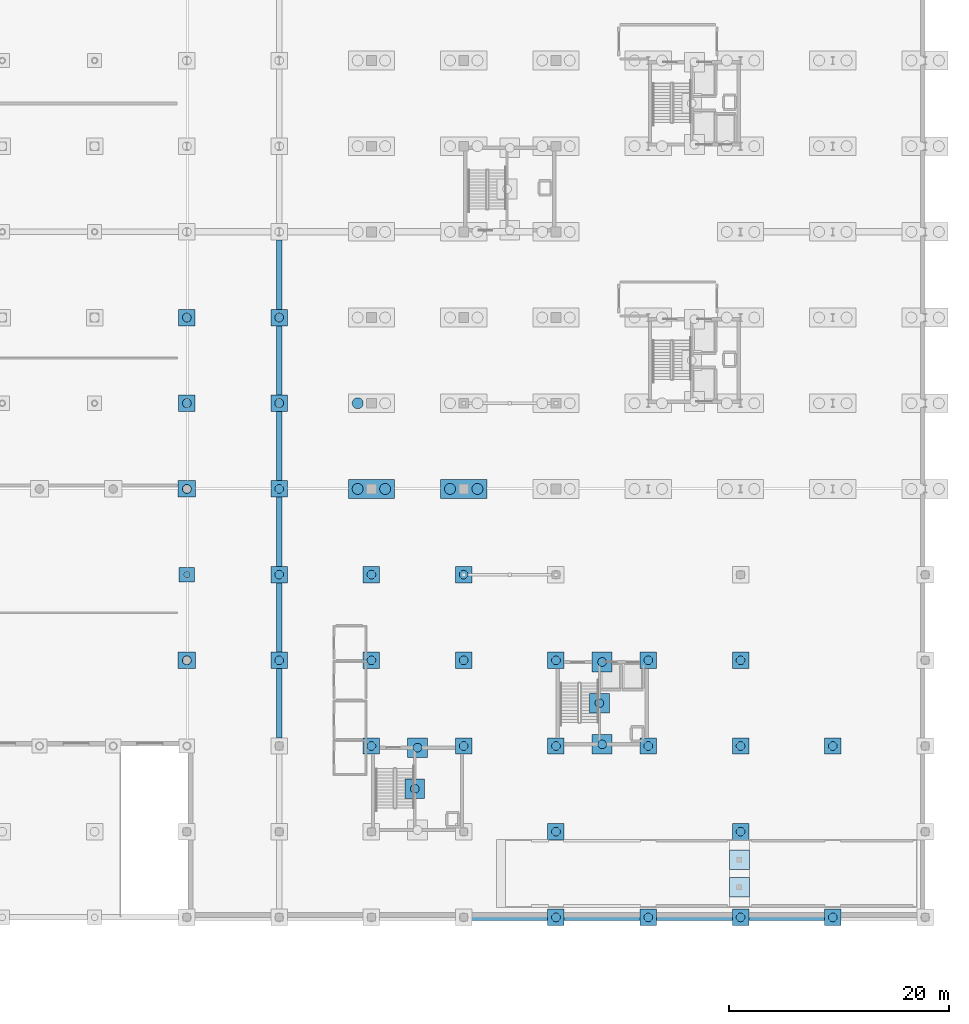
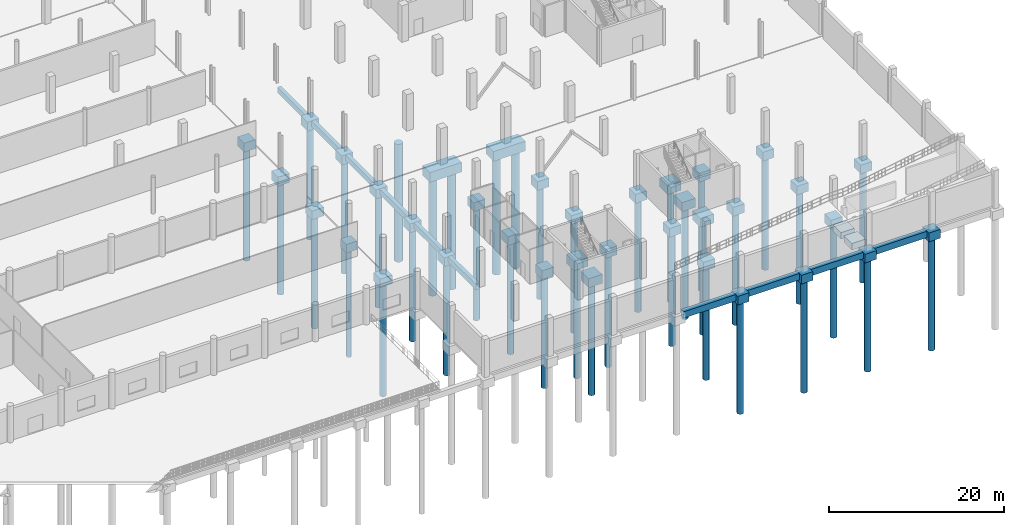
# One storey, part 6 of 48: 48 footings, 39 piles.
"""IFC4 building model written with IfcOpenShell, lengths in metres."""

from ifc_helpers import new_model, si_unit, direction, frame, origin, origin_2d, place, context, subcontext, project, spatial, polyline, rectangle, circle, outline, extrude, material, material_profile, profile_set, type_object, element, save


model = new_model("IFC4")

# Units and contexts
model_context = context("Model", 3, precision=1e-05, world=origin(), true_north=direction((0.0, 1.0)))
body_context = subcontext(model_context, "Body", "Model", "MODEL_VIEW")
ifc_project = project(units=[si_unit("LENGTHUNIT", "METRE"), si_unit("AREAUNIT", "SQUARE_METRE"), si_unit("VOLUMEUNIT", "CUBIC_METRE"), si_unit("PLANEANGLEUNIT", "RADIAN"), si_unit("MASSUNIT", "GRAM", prefix="KILO")], contexts=[model_context])

# Site, building, storey
site_placement = place(None, origin())
site = spatial("IfcSite", under=ifc_project, at=site_placement, CompositionType="ELEMENT")
building_placement = place(site_placement, origin())
building = spatial("IfcBuilding", under=site, at=building_placement, Name="Nabrawat Pavilion Hospital", CompositionType="ELEMENT")
storey_placement = place(building_placement, frame((0.0, 0.0, -5.10009765625)))
storey = spatial("IfcBuildingStorey", under=building, at=storey_placement, Name="B1", CompositionType="ELEMENT", Elevation=-5.10009765625)

# Piles
ifc_material = material(Name="Concrete C35/45", Category="concrete")
ifc_material_profile_1 = material_profile(ifc_material, circle(Radius=0.5, at=origin_2d()), Name="DIA 1000")
ifc_profile_set_1 = profile_set([ifc_material_profile_1], Name="Concrete C35/45")
pile_type_1 = type_object("IfcPileType", Name="Bored Concrete Pile D1000", PredefinedType="BORED", material=ifc_profile_set_1)
for number, where, z_axis, x_axis, name in (
    (1, (141.550048828125, 39.0, -1.469970703125), (0.0, 0.0, -1.0), (1.0, 0.0, 0.0), "Bored Pile P-1000 0203"),
    (2, (144.050048828125, 39.0, -1.469970703125), (0.0, 0.0, -1.0), (1.0, 0.0, 0.0), "Bored Pile P-1000 0204"),
    (3, (141.550048828125, 46.800048828125, -1.469970703125), (0.0, 0.0, -1.0), (1.0, 0.0, 0.0), "Bored Pile P-1000 0205"),
    (4, (149.949951171875, 39.0, -1.469970703125), (0.0, 0.0, -1.0), (1.0, 0.0, 0.0), "Bored Pile P-1000 0231"),
    (5, (152.449951171875, 39.0, -1.469970703125), (0.0, 0.0, -1.0), (1.0, 0.0, 0.0), "Bored Pile P-1000 0232"),
):
    element("IfcPile", number, at=place(storey_placement, frame(where, z_axis=z_axis, x_axis=x_axis)), inside=storey, type_object=pile_type_1, Name=name, PredefinedType="BORED", context=body_context, shape_type="SweptSolid", body=[
        extrude(circle(Radius=0.5, at=origin_2d()), origin(), (0.0, 0.0, 1.0), 16.429931640625),
    ])
ifc_material_profile_2 = material_profile(ifc_material, circle(Radius=0.300048828125, at=origin_2d()), Name="DIA 600")
ifc_profile_set_2 = profile_set([ifc_material_profile_2], Name="Concrete C35/45")
pile_type_2 = type_object("IfcPileType", Name="Bored Concrete Pile D600", PredefinedType="BORED", material=ifc_profile_set_2)
pile_placement = place(storey_placement, frame((126.0, 31.199951171875, -1.2998046875), z_axis=(0.0, 0.0, -1.0), x_axis=(1.0, 0.0, 0.0)))
element("IfcPile", 6, at=pile_placement, inside=storey, type_object=pile_type_2, Name="Bored Pile P-600 0168", PredefinedType="BORED", context=body_context, shape_type="SweptSolid", body=[
    extrude(circle(Radius=0.300048828125, at=origin_2d()), origin(), (0.0, 0.0, 1.0), 15.10009765625),
])
ifc_material_profile_3 = material_profile(ifc_material, circle(Radius=0.39990234375, at=origin_2d()), Name="DIA 800")
ifc_profile_set_3 = profile_set([ifc_material_profile_3], Name="Concrete C35/45")
pile_type_3 = type_object("IfcPileType", Name="Bored Concrete Pile D800", PredefinedType="BORED", material=ifc_profile_set_3)
for number, where, z_axis, x_axis, name in (
    (7, (126.0, 23.39990234375, -1.2998046875), (0.0, 0.0, -1.0), (1.0, 0.0, 0.0), "Bored Pile P-800 0167"),
    (8, (126.0, 39.0, -1.2998046875), (0.0, 0.0, -1.0), (1.0, 0.0, 0.0), "Bored Pile P-800 0169"),
):
    element("IfcPile", number, at=place(storey_placement, frame(where, z_axis=z_axis, x_axis=x_axis)), inside=storey, type_object=pile_type_3, Name=name, PredefinedType="BORED", context=body_context, shape_type="SweptSolid", body=[
        extrude(circle(Radius=0.39990234375, at=origin_2d()), origin(), (0.0, 0.0, 1.0), 15.800048828125),
    ])
for number, where, z_axis, x_axis, name in (
    (9, (126.0, 46.800048828125, -1.369873046875), (0.0, 0.0, -1.0), (1.0, 0.0, 0.0), "Bored Pile P-800 0170"),
    (10, (126.0, 54.60009765625, -1.369873046875), (0.0, 0.0, -1.0), (1.0, 0.0, 0.0), "Bored Pile P-800 0171"),
):
    element("IfcPile", number, at=place(storey_placement, frame(where, z_axis=z_axis, x_axis=x_axis)), inside=storey, type_object=pile_type_3, Name=name, PredefinedType="BORED", context=body_context, shape_type="SweptSolid", body=[
        extrude(circle(Radius=0.39990234375, at=origin_2d()), origin(), (0.0, 0.0, 1.0), 15.72998046875),
    ])
for number, where, z_axis, x_axis, name in (
    (11, (134.39990234375, 23.39990234375, -1.33984375), (0.0, 0.0, -1.0), (1.0, 0.0, 0.0), "Bored Pile P-800 0184"),
    (12, (134.39990234375, 31.199951171875, -1.33984375), (0.0, 0.0, -1.0), (1.0, 0.0, 0.0), "Bored Pile P-800 0185"),
    (13, (134.39990234375, 39.0, -1.33984375), (0.0, 0.0, -1.0), (1.0, 0.0, 0.0), "Bored Pile P-800 0186"),
):
    element("IfcPile", number, at=place(storey_placement, frame(where, z_axis=z_axis, x_axis=x_axis)), inside=storey, type_object=pile_type_3, Name=name, PredefinedType="BORED", context=body_context, shape_type="SweptSolid", body=[
        extrude(circle(Radius=0.39990234375, at=origin_2d()), origin(), (0.0, 0.0, 1.0), 15.760009765625),
    ])
for number, where, z_axis, x_axis, name in (
    (14, (134.39990234375, 46.800048828125, -1.369873046875), (0.0, 0.0, -1.0), (1.0, 0.0, 0.0), "Bored Pile P-800 0187"),
    (15, (134.39990234375, 54.60009765625, -1.369873046875), (0.0, 0.0, -1.0), (1.0, 0.0, 0.0), "Bored Pile P-800 0188"),
):
    element("IfcPile", number, at=place(storey_placement, frame(where, z_axis=z_axis, x_axis=x_axis)), inside=storey, type_object=pile_type_3, Name=name, PredefinedType="BORED", context=body_context, shape_type="SweptSolid", body=[
        extrude(circle(Radius=0.39990234375, at=origin_2d()), origin(), (0.0, 0.0, 1.0), 15.72998046875),
    ])
for number, where, z_axis, x_axis, name in (
    (16, (142.800048828125, 15.60009765625, -1.33984375), (0.0, 0.0, -1.0), (1.0, 0.0, 0.0), "Bored Pile P-800 0200"),
    (17, (142.800048828125, 23.39990234375, -1.33984375), (0.0, 0.0, -1.0), (1.0, 0.0, 0.0), "Bored Pile P-800 0201"),
    (18, (142.800048828125, 31.199951171875, -1.33984375), (0.0, 0.0, -1.0), (1.0, 0.0, 0.0), "Bored Pile P-800 0202"),
    (19, (151.199951171875, 15.60009765625, -1.33984375), (0.0, 0.0, -1.0), (1.0, 0.0, 0.0), "Bored Pile P-800 0228"),
    (20, (151.199951171875, 23.39990234375, -1.33984375), (0.0, 0.0, -1.0), (1.0, 0.0, 0.0), "Bored Pile P-800 0229"),
    (21, (151.199951171875, 31.199951171875, -1.33984375), (0.0, 0.0, -1.0), (1.0, 0.0, 0.0), "Bored Pile P-800 0230"),
    (22, (159.60009765625, 0.0, -1.33984375), (0.0, 0.0, -1.0), (1.0, 0.0, 0.0), "Bored Pile P-800 0254"),
    (23, (159.60009765625, 7.800048828125, -1.33984375), (0.0, 0.0, -1.0), (1.0, 0.0, 0.0), "Bored Pile P-800 0255"),
    (24, (159.60009765625, 15.60009765625, -1.33984375), (0.0, 0.0, -1.0), (1.0, 0.0, 0.0), "Bored Pile P-800 0256"),
    (25, (159.60009765625, 23.39990234375, -1.33984375), (0.0, 0.0, -1.0), (1.0, 0.0, 0.0), "Bored Pile P-800 0257"),
    (26, (168.0, 0.0, -1.33984375), (0.0, 0.0, -1.0), (1.0, 0.0, 0.0), "Bored Pile P-800 0282"),
    (27, (168.0, 15.60009765625, -1.33984375), (0.0, 0.0, -1.0), (1.0, 0.0, 0.0), "Bored Pile P-800 0283"),
    (28, (168.0, 23.39990234375, -1.33984375), (0.0, 0.0, -1.0), (1.0, 0.0, 0.0), "Bored Pile P-800 0284"),
    (29, (176.39990234375, 0.0, -1.33984375), (0.0, 0.0, -1.0), (1.0, 0.0, 0.0), "Bored Pile P-800 0300"),
    (30, (176.39990234375, 7.800048828125, -1.33984375), (0.0, 0.0, -1.0), (1.0, 0.0, 0.0), "Bored Pile P-800 0301"),
    (31, (176.39990234375, 15.60009765625, -1.33984375), (0.0, 0.0, -1.0), (1.0, 0.0, 0.0), "Bored Pile P-800 0302"),
    (32, (176.39990234375, 23.39990234375, -1.33984375), (0.0, 0.0, -1.0), (1.0, 0.0, 0.0), "Bored Pile P-800 0303"),
    (33, (184.800048828125, 0.0, -1.33984375), (0.0, 0.0, -1.0), (1.0, 0.0, 0.0), "Bored Pile P-800 0328"),
    (34, (184.800048828125, 15.60009765625, -1.33984375), (0.0, 0.0, -1.0), (1.0, 0.0, 0.0), "Bored Pile P-800 0329"),
):
    element("IfcPile", number, at=place(storey_placement, frame(where, z_axis=z_axis, x_axis=x_axis)), inside=storey, type_object=pile_type_3, Name=name, PredefinedType="BORED", context=body_context, shape_type="SweptSolid", body=[
        extrude(circle(Radius=0.39990234375, at=origin_2d()), origin(), (0.0, 0.0, 1.0), 15.760009765625),
    ])
for number, where, z_axis, x_axis, name in (
    (35, (163.800048828125, 15.75, -1.369873046875), (0.0, 0.0, -1.0), (1.0, 0.0, 0.0), "Bored Pile P-800 0384"),
    (36, (163.800048828125, 23.25, -1.369873046875), (0.0, 0.0, -1.0), (1.0, 0.0, 0.0), "Bored Pile P-800 0385"),
    (37, (163.550048828125, 19.5, -1.369873046875), (0.0, 0.0, -1.0), (1.0, 0.0, 0.0), "Bored Pile P-800 0386"),
    (38, (147.0, 15.449951171875, -1.369873046875), (0.0, 0.0, -1.0), (1.0, 0.0, 0.0), "Bored Pile P-800 0397"),
    (39, (146.75, 11.699951171875, -1.369873046875), (0.0, 0.0, -1.0), (1.0, 0.0, 0.0), "Bored Pile P-800 0398"),
):
    element("IfcPile", number, at=place(storey_placement, frame(where, z_axis=z_axis, x_axis=x_axis)), inside=storey, type_object=pile_type_3, Name=name, PredefinedType="BORED", context=body_context, shape_type="SweptSolid", body=[
        extrude(circle(Radius=0.39990234375, at=origin_2d()), origin(), (0.0, 0.0, 1.0), 15.72998046875),
    ])

# Footings
ifc_material_profile_4 = material_profile(ifc_material, rectangle(XDim=0.5, YDim=0.800048828125, at=origin_2d()), Name="RC 500x800")
ifc_profile_set_4 = profile_set([ifc_material_profile_4], Name="Concrete C35/45")
footing_type_1 = type_object("IfcFootingType", Name="Concrete Ground Tie Beam 500x800", PredefinedType="FOOTING_BEAM", material=ifc_profile_set_4)
footing_1_placement = place(storey_placement, frame((134.39990234375, 16.330078125, -0.619873046875), z_axis=(0.0, 1.0, 0.0), x_axis=(-1.0, 0.0, 0.0)))
element("IfcFooting", 40, at=footing_1_placement, inside=storey, type_object=footing_type_1, Name="B1 Ground Tie Beam Y 061", PredefinedType="FOOTING_BEAM", context=body_context, shape_type="SweptSolid", body=[
    extrude(rectangle(XDim=0.5, YDim=0.800048828125, at=origin_2d()), origin(), (0.0, 0.0, 1.0), 6.33984375),
])
for number, where, z_axis, x_axis, name in (
    (41, (134.39990234375, 24.1298828125, -0.619873046875), (0.0, 1.0, 0.0), (-1.0, 0.0, 0.0), "B1 Ground Tie Beam Y 062"),
    (42, (134.39990234375, 31.929931640625, -0.619873046875), (0.0, 1.0, 0.0), (-1.0, 0.0, 0.0), "B1 Ground Tie Beam Y 063"),
    (43, (134.39990234375, 39.72998046875, -0.619873046875), (0.0, 1.0, 0.0), (-1.0, 0.0, 0.0), "B1 Ground Tie Beam Y 064"),
    (44, (134.39990234375, 47.530029296875, -0.619873046875), (0.0, 1.0, 0.0), (-1.0, 0.0, 0.0), "B1 Ground Tie Beam Y 065"),
):
    element("IfcFooting", number, at=place(storey_placement, frame(where, z_axis=z_axis, x_axis=x_axis)), inside=storey, type_object=footing_type_1, Name=name, PredefinedType="FOOTING_BEAM", context=body_context, shape_type="SweptSolid", body=[
        extrude(rectangle(XDim=0.5, YDim=0.800048828125, at=origin_2d()), origin(), (0.0, 0.0, 1.0), 6.340087890625),
    ])
footing_2_placement = place(storey_placement, frame((134.39990234375, 55.330078125, -0.619873046875), z_axis=(0.0, 1.0, 0.0), x_axis=(-1.0, 0.0, 0.0)))
element("IfcFooting", 45, at=footing_2_placement, inside=storey, type_object=footing_type_1, Name="B1 Ground Tie Beam Y 066", PredefinedType="FOOTING_BEAM", context=body_context, shape_type="SweptSolid", body=[
    extrude(rectangle(XDim=0.5, YDim=0.800048828125, at=origin_2d()), origin(), (0.0, 0.0, 1.0), 6.33984375),
])
ifc_material_profile_5 = material_profile(ifc_material, rectangle(XDim=0.60009765625, YDim=0.89990234375, at=origin_2d()), Name="RC 600x900")
ifc_profile_set_5 = profile_set([ifc_material_profile_5], Name="Concrete C35/45")
footing_type_2 = type_object("IfcFootingType", Name="Concrete Ground Tie Beam 600x900", PredefinedType="FOOTING_BEAM", material=ifc_profile_set_5)
footing_3_placement = place(storey_placement, frame((151.929931640625, 0.0, -0.669921875), z_axis=(1.0, 0.0, 0.0), x_axis=(0.0, 1.0, 0.0)))
element("IfcFooting", 46, at=footing_3_placement, inside=storey, type_object=footing_type_2, Name="B1 Ground Tie Beam X 019", PredefinedType="FOOTING_BEAM", context=body_context, shape_type="SweptSolid", body=[
    extrude(rectangle(XDim=0.60009765625, YDim=0.89990234375, at=origin_2d()), origin(), (0.0, 0.0, 1.0), 6.940185546875),
])
for number, where, z_axis, x_axis, name in (
    (47, (160.330078125, 0.0, -0.669921875), (1.0, 0.0, 0.0), (0.0, 1.0, 0.0), "B1 Ground Tie Beam X 020"),
    (48, (168.72998046875, 0.0, -0.669921875), (1.0, 0.0, 0.0), (0.0, 1.0, 0.0), "B1 Ground Tie Beam X 021"),
):
    element("IfcFooting", number, at=place(storey_placement, frame(where, z_axis=z_axis, x_axis=x_axis)), inside=storey, type_object=footing_type_2, Name=name, PredefinedType="FOOTING_BEAM", context=body_context, shape_type="SweptSolid", body=[
        extrude(rectangle(XDim=0.60009765625, YDim=0.89990234375, at=origin_2d()), origin(), (0.0, 0.0, 1.0), 6.93994140625),
    ])
footing_4_placement = place(storey_placement, frame((177.1298828125, 0.0, -0.669921875), z_axis=(1.0, 0.0, 0.0), x_axis=(0.0, 1.0, 0.0)))
element("IfcFooting", 49, at=footing_4_placement, inside=storey, type_object=footing_type_2, Name="B1 Ground Tie Beam X 022", PredefinedType="FOOTING_BEAM", context=body_context, shape_type="SweptSolid", body=[
    extrude(rectangle(XDim=0.60009765625, YDim=0.89990234375, at=origin_2d()), origin(), (0.0, 0.0, 1.0), 6.940185546875),
])
footing_type_3 = type_object("IfcFootingType", Name="Exterior Colonnade Pad Footing 1800x1800x900", PredefinedType="PAD_FOOTING", material=ifc_material)
footing_5_placement = place(storey_placement, frame((0.0, 0.0, -1.119873046875)))
element("IfcFooting", 50, at=footing_5_placement, inside=storey, type_object=footing_type_3, Name="B1 Vehicle Ramp Pier Pad Footing 01", PredefinedType="PAD_FOOTING", context=body_context, shape_type="SweptSolid", body=[
    extrude(outline(polyline([(177.199951171875, 1.85009765625), (177.199951171875, 3.64990234375), (175.39990234375, 3.64990234375), (175.39990234375, 1.85009765625), (177.199951171875, 1.85009765625)])), origin(), (0.0, 0.0, 1.0), 0.89990234375),
])
footing_6_placement = place(storey_placement, frame((0.0, 0.0, -1.119873046875)))
element("IfcFooting", 51, at=footing_6_placement, inside=storey, type_object=footing_type_3, Name="B1 Vehicle Ramp Pier Pad Footing 02", PredefinedType="PAD_FOOTING", context=body_context, shape_type="SweptSolid", body=[
    extrude(outline(polyline([(177.199951171875, 4.35009765625), (177.199951171875, 6.14990234375), (175.39990234375, 6.14990234375), (175.39990234375, 4.35009765625), (177.199951171875, 4.35009765625)])), origin(), (0.0, 0.0, 1.0), 0.89990234375),
])
footing_type_4 = type_object("IfcFootingType", Name="Reinforced Concrete Pile Cap 1300x1400x1180", PredefinedType="PILE_CAP", material=ifc_material)
footing_7_placement = place(storey_placement, frame((0.0, 0.0, -1.39990234375)))
element("IfcFooting", 52, at=footing_7_placement, inside=storey, type_object=footing_type_4, Name="B1 Combined Pile Cap CAP-168", PredefinedType="PILE_CAP", context=body_context, shape_type="SweptSolid", body=[
    extrude(outline(polyline([(126.699951171875, 30.550048828125), (126.699951171875, 31.85009765625), (125.300048828125, 31.85009765625), (125.300048828125, 30.550048828125), (126.699951171875, 30.550048828125)])), origin(), (0.0, 0.0, 1.0), 1.179931640625),
])
footing_type_5 = type_object("IfcFootingType", Name="Reinforced Concrete Pile Cap 1500x1500x1220", PredefinedType="PILE_CAP", material=ifc_material)
footing_8_placement = place(storey_placement, frame((0.0, 0.0, -1.43994140625)))
element("IfcFooting", 53, at=footing_8_placement, inside=storey, type_object=footing_type_5, Name="B1 Combined Pile Cap CAP-184", PredefinedType="PILE_CAP", context=body_context, shape_type="SweptSolid", body=[
    extrude(outline(polyline([(135.14990234375, 22.64990234375), (135.14990234375, 24.14990234375), (133.64990234375, 24.14990234375), (133.64990234375, 22.64990234375), (135.14990234375, 22.64990234375)])), origin(), (0.0, 0.0, 1.0), 1.219970703125),
])
footing_9_placement = place(storey_placement, frame((0.0, 0.0, -1.43994140625)))
element("IfcFooting", 54, at=footing_9_placement, inside=storey, type_object=footing_type_5, Name="B1 Combined Pile Cap CAP-185", PredefinedType="PILE_CAP", context=body_context, shape_type="SweptSolid", body=[
    extrude(outline(polyline([(135.14990234375, 30.449951171875), (135.14990234375, 31.949951171875), (133.64990234375, 31.949951171875), (133.64990234375, 30.449951171875), (135.14990234375, 30.449951171875)])), origin(), (0.0, 0.0, 1.0), 1.219970703125),
])
footing_10_placement = place(storey_placement, frame((0.0, 0.0, -1.43994140625)))
element("IfcFooting", 55, at=footing_10_placement, inside=storey, type_object=footing_type_5, Name="B1 Combined Pile Cap CAP-186", PredefinedType="PILE_CAP", context=body_context, shape_type="SweptSolid", body=[
    extrude(outline(polyline([(135.14990234375, 38.25), (135.14990234375, 39.75), (133.64990234375, 39.75), (133.64990234375, 38.25), (135.14990234375, 38.25)])), origin(), (0.0, 0.0, 1.0), 1.219970703125),
])
footing_11_placement = place(storey_placement, frame((0.0, 0.0, -1.43994140625)))
element("IfcFooting", 56, at=footing_11_placement, inside=storey, type_object=footing_type_5, Name="B1 Combined Pile Cap CAP-200", PredefinedType="PILE_CAP", context=body_context, shape_type="SweptSolid", body=[
    extrude(outline(polyline([(143.550048828125, 14.85009765625), (143.550048828125, 16.35009765625), (142.050048828125, 16.35009765625), (142.050048828125, 14.85009765625), (143.550048828125, 14.85009765625)])), origin(), (0.0, 0.0, 1.0), 1.219970703125),
])
footing_12_placement = place(storey_placement, frame((0.0, 0.0, -1.43994140625)))
element("IfcFooting", 57, at=footing_12_placement, inside=storey, type_object=footing_type_5, Name="B1 Combined Pile Cap CAP-201", PredefinedType="PILE_CAP", context=body_context, shape_type="SweptSolid", body=[
    extrude(outline(polyline([(143.550048828125, 22.64990234375), (143.550048828125, 24.14990234375), (142.050048828125, 24.14990234375), (142.050048828125, 22.64990234375), (143.550048828125, 22.64990234375)])), origin(), (0.0, 0.0, 1.0), 1.219970703125),
])
footing_13_placement = place(storey_placement, frame((0.0, 0.0, -1.43994140625)))
element("IfcFooting", 58, at=footing_13_placement, inside=storey, type_object=footing_type_5, Name="B1 Combined Pile Cap CAP-202", PredefinedType="PILE_CAP", context=body_context, shape_type="SweptSolid", body=[
    extrude(outline(polyline([(143.550048828125, 30.449951171875), (143.550048828125, 31.949951171875), (142.050048828125, 31.949951171875), (142.050048828125, 30.449951171875), (143.550048828125, 30.449951171875)])), origin(), (0.0, 0.0, 1.0), 1.219970703125),
])
footing_14_placement = place(storey_placement, frame((0.0, 0.0, -1.43994140625)))
element("IfcFooting", 59, at=footing_14_placement, inside=storey, type_object=footing_type_5, Name="B1 Combined Pile Cap CAP-217", PredefinedType="PILE_CAP", context=body_context, shape_type="SweptSolid", body=[
    extrude(outline(polyline([(151.949951171875, 14.85009765625), (151.949951171875, 16.35009765625), (150.449951171875, 16.35009765625), (150.449951171875, 14.85009765625), (151.949951171875, 14.85009765625)])), origin(), (0.0, 0.0, 1.0), 1.219970703125),
])
footing_15_placement = place(storey_placement, frame((0.0, 0.0, -1.43994140625)))
element("IfcFooting", 60, at=footing_15_placement, inside=storey, type_object=footing_type_5, Name="B1 Combined Pile Cap CAP-218", PredefinedType="PILE_CAP", context=body_context, shape_type="SweptSolid", body=[
    extrude(outline(polyline([(151.949951171875, 22.64990234375), (151.949951171875, 24.14990234375), (150.449951171875, 24.14990234375), (150.449951171875, 22.64990234375), (151.949951171875, 22.64990234375)])), origin(), (0.0, 0.0, 1.0), 1.219970703125),
])
footing_16_placement = place(storey_placement, frame((0.0, 0.0, -1.43994140625)))
element("IfcFooting", 61, at=footing_16_placement, inside=storey, type_object=footing_type_5, Name="B1 Combined Pile Cap CAP-219", PredefinedType="PILE_CAP", context=body_context, shape_type="SweptSolid", body=[
    extrude(outline(polyline([(151.949951171875, 30.449951171875), (151.949951171875, 31.949951171875), (150.449951171875, 31.949951171875), (150.449951171875, 30.449951171875), (151.949951171875, 30.449951171875)])), origin(), (0.0, 0.0, 1.0), 1.219970703125),
])
footing_17_placement = place(storey_placement, frame((0.0, 0.0, -1.43994140625)))
element("IfcFooting", 62, at=footing_17_placement, inside=storey, type_object=footing_type_5, Name="B1 Combined Pile Cap CAP-232", PredefinedType="PILE_CAP", context=body_context, shape_type="SweptSolid", body=[
    extrude(outline(polyline([(160.35009765625, -0.75), (160.35009765625, 0.75), (158.85009765625, 0.75), (158.85009765625, -0.75), (160.35009765625, -0.75)])), origin(), (0.0, 0.0, 1.0), 1.219970703125),
])
footing_18_placement = place(storey_placement, frame((0.0, 0.0, -1.43994140625)))
element("IfcFooting", 63, at=footing_18_placement, inside=storey, type_object=footing_type_5, Name="B1 Combined Pile Cap CAP-233", PredefinedType="PILE_CAP", context=body_context, shape_type="SweptSolid", body=[
    extrude(outline(polyline([(160.35009765625, 7.050048828125), (160.35009765625, 8.550048828125), (158.85009765625, 8.550048828125), (158.85009765625, 7.050048828125), (160.35009765625, 7.050048828125)])), origin(), (0.0, 0.0, 1.0), 1.219970703125),
])
footing_19_placement = place(storey_placement, frame((0.0, 0.0, -1.43994140625)))
element("IfcFooting", 64, at=footing_19_placement, inside=storey, type_object=footing_type_5, Name="B1 Combined Pile Cap CAP-234", PredefinedType="PILE_CAP", context=body_context, shape_type="SweptSolid", body=[
    extrude(outline(polyline([(160.35009765625, 14.85009765625), (160.35009765625, 16.35009765625), (158.85009765625, 16.35009765625), (158.85009765625, 14.85009765625), (160.35009765625, 14.85009765625)])), origin(), (0.0, 0.0, 1.0), 1.219970703125),
])
footing_20_placement = place(storey_placement, frame((0.0, 0.0, -1.43994140625)))
element("IfcFooting", 65, at=footing_20_placement, inside=storey, type_object=footing_type_5, Name="B1 Combined Pile Cap CAP-235", PredefinedType="PILE_CAP", context=body_context, shape_type="SweptSolid", body=[
    extrude(outline(polyline([(160.35009765625, 22.64990234375), (160.35009765625, 24.14990234375), (158.85009765625, 24.14990234375), (158.85009765625, 22.64990234375), (160.35009765625, 22.64990234375)])), origin(), (0.0, 0.0, 1.0), 1.219970703125),
])
footing_21_placement = place(storey_placement, frame((0.0, 0.0, -1.43994140625)))
element("IfcFooting", 66, at=footing_21_placement, inside=storey, type_object=footing_type_5, Name="B1 Combined Pile Cap CAP-249", PredefinedType="PILE_CAP", context=body_context, shape_type="SweptSolid", body=[
    extrude(outline(polyline([(168.75, -0.75), (168.75, 0.75), (167.25, 0.75), (167.25, -0.75), (168.75, -0.75)])), origin(), (0.0, 0.0, 1.0), 1.219970703125),
])
footing_22_placement = place(storey_placement, frame((0.0, 0.0, -1.43994140625)))
element("IfcFooting", 67, at=footing_22_placement, inside=storey, type_object=footing_type_5, Name="B1 Combined Pile Cap CAP-250", PredefinedType="PILE_CAP", context=body_context, shape_type="SweptSolid", body=[
    extrude(outline(polyline([(168.75, 14.85009765625), (168.75, 16.35009765625), (167.25, 16.35009765625), (167.25, 14.85009765625), (168.75, 14.85009765625)])), origin(), (0.0, 0.0, 1.0), 1.219970703125),
])
footing_23_placement = place(storey_placement, frame((0.0, 0.0, -1.43994140625)))
element("IfcFooting", 68, at=footing_23_placement, inside=storey, type_object=footing_type_5, Name="B1 Combined Pile Cap CAP-251", PredefinedType="PILE_CAP", context=body_context, shape_type="SweptSolid", body=[
    extrude(outline(polyline([(168.75, 22.64990234375), (168.75, 24.14990234375), (167.25, 24.14990234375), (167.25, 22.64990234375), (168.75, 22.64990234375)])), origin(), (0.0, 0.0, 1.0), 1.219970703125),
])
footing_24_placement = place(storey_placement, frame((0.0, 0.0, -1.43994140625)))
element("IfcFooting", 69, at=footing_24_placement, inside=storey, type_object=footing_type_5, Name="B1 Combined Pile Cap CAP-260", PredefinedType="PILE_CAP", context=body_context, shape_type="SweptSolid", body=[
    extrude(outline(polyline([(177.14990234375, -0.75), (177.14990234375, 0.75), (175.64990234375, 0.75), (175.64990234375, -0.75), (177.14990234375, -0.75)])), origin(), (0.0, 0.0, 1.0), 1.219970703125),
])
footing_25_placement = place(storey_placement, frame((0.0, 0.0, -1.43994140625)))
element("IfcFooting", 70, at=footing_25_placement, inside=storey, type_object=footing_type_5, Name="B1 Combined Pile Cap CAP-261", PredefinedType="PILE_CAP", context=body_context, shape_type="SweptSolid", body=[
    extrude(outline(polyline([(177.14990234375, 7.050048828125), (177.14990234375, 8.550048828125), (175.64990234375, 8.550048828125), (175.64990234375, 7.050048828125), (177.14990234375, 7.050048828125)])), origin(), (0.0, 0.0, 1.0), 1.219970703125),
])
footing_26_placement = place(storey_placement, frame((0.0, 0.0, -1.43994140625)))
element("IfcFooting", 71, at=footing_26_placement, inside=storey, type_object=footing_type_5, Name="B1 Combined Pile Cap CAP-262", PredefinedType="PILE_CAP", context=body_context, shape_type="SweptSolid", body=[
    extrude(outline(polyline([(177.14990234375, 14.85009765625), (177.14990234375, 16.35009765625), (175.64990234375, 16.35009765625), (175.64990234375, 14.85009765625), (177.14990234375, 14.85009765625)])), origin(), (0.0, 0.0, 1.0), 1.219970703125),
])
footing_27_placement = place(storey_placement, frame((0.0, 0.0, -1.43994140625)))
element("IfcFooting", 72, at=footing_27_placement, inside=storey, type_object=footing_type_5, Name="B1 Combined Pile Cap CAP-263", PredefinedType="PILE_CAP", context=body_context, shape_type="SweptSolid", body=[
    extrude(outline(polyline([(177.14990234375, 22.64990234375), (177.14990234375, 24.14990234375), (175.64990234375, 24.14990234375), (175.64990234375, 22.64990234375), (177.14990234375, 22.64990234375)])), origin(), (0.0, 0.0, 1.0), 1.219970703125),
])
footing_28_placement = place(storey_placement, frame((0.0, 0.0, -1.43994140625)))
element("IfcFooting", 73, at=footing_28_placement, inside=storey, type_object=footing_type_5, Name="B1 Combined Pile Cap CAP-277", PredefinedType="PILE_CAP", context=body_context, shape_type="SweptSolid", body=[
    extrude(outline(polyline([(185.550048828125, -0.75), (185.550048828125, 0.75), (184.050048828125, 0.75), (184.050048828125, -0.75), (185.550048828125, -0.75)])), origin(), (0.0, 0.0, 1.0), 1.219970703125),
])
footing_29_placement = place(storey_placement, frame((0.0, 0.0, -1.43994140625)))
element("IfcFooting", 74, at=footing_29_placement, inside=storey, type_object=footing_type_5, Name="B1 Combined Pile Cap CAP-278", PredefinedType="PILE_CAP", context=body_context, shape_type="SweptSolid", body=[
    extrude(outline(polyline([(185.550048828125, 14.85009765625), (185.550048828125, 16.35009765625), (184.050048828125, 16.35009765625), (184.050048828125, 14.85009765625), (185.550048828125, 14.85009765625)])), origin(), (0.0, 0.0, 1.0), 1.219970703125),
])
footing_type_6 = type_object("IfcFootingType", Name="Reinforced Concrete Pile Cap 1500x1500x1250", PredefinedType="PILE_CAP", material=ifc_material)
footing_30_placement = place(storey_placement, frame((0.0, 0.0, -1.469970703125)))
element("IfcFooting", 75, at=footing_30_placement, inside=storey, type_object=footing_type_6, Name="B1 Combined Pile Cap CAP-170", PredefinedType="PILE_CAP", context=body_context, shape_type="SweptSolid", body=[
    extrude(outline(polyline([(126.75, 46.050048828125), (126.75, 47.550048828125), (125.25, 47.550048828125), (125.25, 46.050048828125), (126.75, 46.050048828125)])), origin(), (0.0, 0.0, 1.0), 1.25),
])
footing_31_placement = place(storey_placement, frame((0.0, 0.0, -1.469970703125)))
element("IfcFooting", 76, at=footing_31_placement, inside=storey, type_object=footing_type_6, Name="B1 Combined Pile Cap CAP-171", PredefinedType="PILE_CAP", context=body_context, shape_type="SweptSolid", body=[
    extrude(outline(polyline([(126.75, 53.85009765625), (126.75, 55.35009765625), (125.25, 55.35009765625), (125.25, 53.85009765625), (126.75, 53.85009765625)])), origin(), (0.0, 0.0, 1.0), 1.25),
])
footing_32_placement = place(storey_placement, frame((0.0, 0.0, -1.469970703125)))
element("IfcFooting", 77, at=footing_32_placement, inside=storey, type_object=footing_type_6, Name="B1 Combined Pile Cap CAP-187", PredefinedType="PILE_CAP", context=body_context, shape_type="SweptSolid", body=[
    extrude(outline(polyline([(135.14990234375, 46.050048828125), (135.14990234375, 47.550048828125), (133.64990234375, 47.550048828125), (133.64990234375, 46.050048828125), (135.14990234375, 46.050048828125)])), origin(), (0.0, 0.0, 1.0), 1.25),
])
footing_33_placement = place(storey_placement, frame((0.0, 0.0, -1.469970703125)))
element("IfcFooting", 78, at=footing_33_placement, inside=storey, type_object=footing_type_6, Name="B1 Combined Pile Cap CAP-188", PredefinedType="PILE_CAP", context=body_context, shape_type="SweptSolid", body=[
    extrude(outline(polyline([(135.14990234375, 53.85009765625), (135.14990234375, 55.35009765625), (133.64990234375, 55.35009765625), (133.64990234375, 53.85009765625), (135.14990234375, 53.85009765625)])), origin(), (0.0, 0.0, 1.0), 1.25),
])
footing_type_7 = type_object("IfcFootingType", Name="Reinforced Concrete Pile Cap 1500x1600x1180", PredefinedType="PILE_CAP", material=ifc_material)
footing_34_placement = place(storey_placement, frame((0.0, 0.0, -1.39990234375)))
element("IfcFooting", 79, at=footing_34_placement, inside=storey, type_object=footing_type_7, Name="B1 Combined Pile Cap CAP-167", PredefinedType="PILE_CAP", context=body_context, shape_type="SweptSolid", body=[
    extrude(outline(polyline([(126.800048828125, 22.64990234375), (126.800048828125, 24.14990234375), (125.199951171875, 24.14990234375), (125.199951171875, 22.64990234375), (126.800048828125, 22.64990234375)])), origin(), (0.0, 0.0, 1.0), 1.179931640625),
])
footing_35_placement = place(storey_placement, frame((0.0, 0.0, -1.39990234375)))
element("IfcFooting", 80, at=footing_35_placement, inside=storey, type_object=footing_type_7, Name="B1 Combined Pile Cap CAP-169", PredefinedType="PILE_CAP", context=body_context, shape_type="SweptSolid", body=[
    extrude(outline(polyline([(126.800048828125, 38.25), (126.800048828125, 39.75), (125.199951171875, 39.75), (125.199951171875, 38.25), (126.800048828125, 38.25)])), origin(), (0.0, 0.0, 1.0), 1.179931640625),
])
footing_type_8 = type_object("IfcFootingType", Name="Reinforced Concrete Pile Cap 1700x4200x1350", PredefinedType="PILE_CAP", material=ifc_material)
footing_36_placement = place(storey_placement, frame((0.0, 0.0, -1.56982421875)))
element("IfcFooting", 81, at=footing_36_placement, inside=storey, type_object=footing_type_8, Name="B1 Combined Pile Cap CAP-203", PredefinedType="PILE_CAP", context=body_context, shape_type="SweptSolid", body=[
    extrude(outline(polyline([(144.89990234375, 38.14990234375), (144.89990234375, 39.85009765625), (140.699951171875, 39.85009765625), (140.699951171875, 38.14990234375), (144.89990234375, 38.14990234375)])), origin(), (0.0, 0.0, 1.0), 1.349853515625),
])
footing_37_placement = place(storey_placement, frame((0.0, 0.0, -1.56982421875)))
element("IfcFooting", 82, at=footing_37_placement, inside=storey, type_object=footing_type_8, Name="B1 Combined Pile Cap CAP-220", PredefinedType="PILE_CAP", context=body_context, shape_type="SweptSolid", body=[
    extrude(outline(polyline([(153.300048828125, 38.14990234375), (153.300048828125, 39.85009765625), (149.10009765625, 39.85009765625), (149.10009765625, 38.14990234375), (153.300048828125, 38.14990234375)])), origin(), (0.0, 0.0, 1.0), 1.349853515625),
])
footing_type_9 = type_object("IfcFootingType", Name="Reinforced Concrete Pile Cap 1800x1800x1250", PredefinedType="PILE_CAP", material=ifc_material)
footing_38_placement = place(storey_placement, frame((0.0, 0.0, -1.469970703125)))
element("IfcFooting", 83, at=footing_38_placement, inside=storey, type_object=footing_type_9, Name="B1 Core Shear Wall Pile Cap CAP-CORE-10", PredefinedType="PILE_CAP", context=body_context, shape_type="SweptSolid", body=[
    extrude(outline(polyline([(164.699951171875, 14.85009765625), (164.699951171875, 16.64990234375), (162.89990234375, 16.64990234375), (162.89990234375, 14.85009765625), (164.699951171875, 14.85009765625)])), origin(), (0.0, 0.0, 1.0), 1.25),
])
footing_39_placement = place(storey_placement, frame((0.0, 0.0, -1.469970703125)))
element("IfcFooting", 84, at=footing_39_placement, inside=storey, type_object=footing_type_9, Name="B1 Core Shear Wall Pile Cap CAP-CORE-11", PredefinedType="PILE_CAP", context=body_context, shape_type="SweptSolid", body=[
    extrude(outline(polyline([(164.699951171875, 22.35009765625), (164.699951171875, 24.14990234375), (162.89990234375, 24.14990234375), (162.89990234375, 22.35009765625), (164.699951171875, 22.35009765625)])), origin(), (0.0, 0.0, 1.0), 1.25),
])
footing_40_placement = place(storey_placement, frame((0.0, 0.0, -1.469970703125)))
element("IfcFooting", 85, at=footing_40_placement, inside=storey, type_object=footing_type_9, Name="B1 Core Shear Wall Pile Cap CAP-CORE-12", PredefinedType="PILE_CAP", context=body_context, shape_type="SweptSolid", body=[
    extrude(outline(polyline([(164.449951171875, 18.60009765625), (164.449951171875, 20.39990234375), (162.64990234375, 20.39990234375), (162.64990234375, 18.60009765625), (164.449951171875, 18.60009765625)])), origin(), (0.0, 0.0, 1.0), 1.25),
])
footing_41_placement = place(storey_placement, frame((0.0, 0.0, -1.469970703125)))
element("IfcFooting", 86, at=footing_41_placement, inside=storey, type_object=footing_type_9, Name="B1 Core Shear Wall Pile Cap CAP-CORE-23", PredefinedType="PILE_CAP", context=body_context, shape_type="SweptSolid", body=[
    extrude(outline(polyline([(147.89990234375, 14.550048828125), (147.89990234375, 16.35009765625), (146.10009765625, 16.35009765625), (146.10009765625, 14.550048828125), (147.89990234375, 14.550048828125)])), origin(), (0.0, 0.0, 1.0), 1.25),
])
footing_42_placement = place(storey_placement, frame((0.0, 0.0, -1.469970703125)))
element("IfcFooting", 87, at=footing_42_placement, inside=storey, type_object=footing_type_9, Name="B1 Core Shear Wall Pile Cap CAP-CORE-24", PredefinedType="PILE_CAP", context=body_context, shape_type="SweptSolid", body=[
    extrude(outline(polyline([(147.64990234375, 10.800048828125), (147.64990234375, 12.60009765625), (145.85009765625, 12.60009765625), (145.85009765625, 10.800048828125), (147.64990234375, 10.800048828125)])), origin(), (0.0, 0.0, 1.0), 1.25),
])

save(model, "model.ifc")
